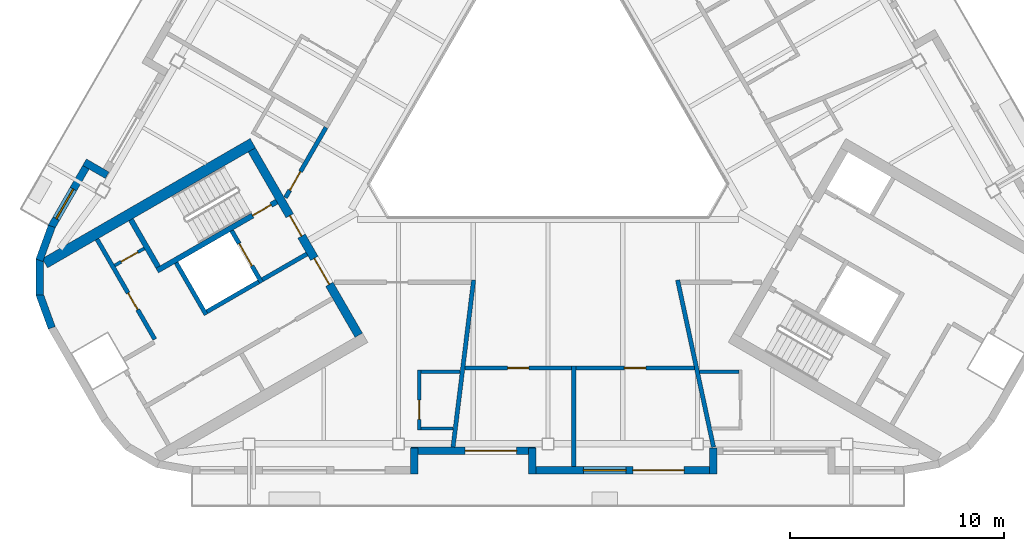
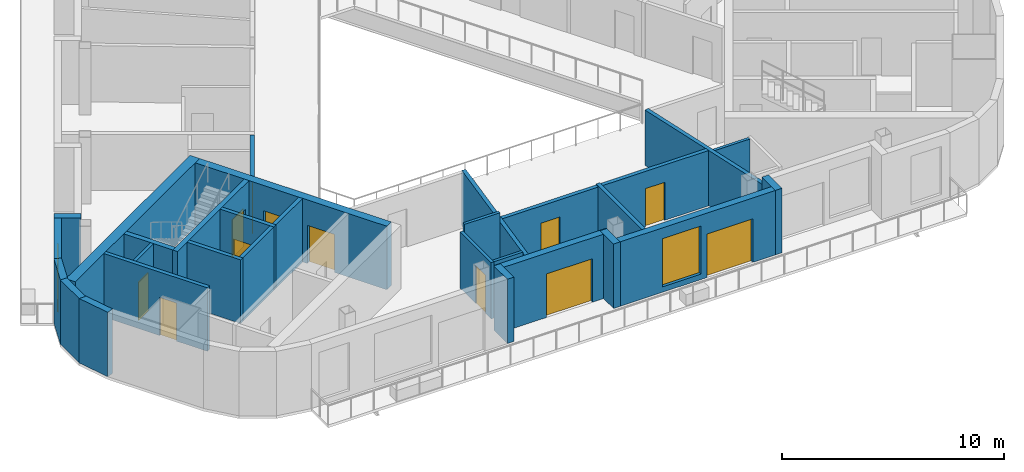
# One storey, part 3 of 12: 30 walls, 12 doors, 2 windows, 14 openings.
"""IFC4 building model written with IfcOpenShell, lengths in metres."""

from ifc_helpers import new_model, si_unit, direction, frame, frame_2d, origin, place, context, subcontext, project, spatial, rectangle, extrude, material, layer, layer_set, type_object, element, fill, save


model = new_model("IFC4")

# Units and contexts
model_context = context("Model", 3, precision=1e-05, world=origin(), true_north=direction((0.0, 1.0)))
body_context = subcontext(model_context, "Body", "Model", "MODEL_VIEW")
ifc_project = project(units=[si_unit("LENGTHUNIT", "METRE"), si_unit("AREAUNIT", "SQUARE_METRE"), si_unit("VOLUMEUNIT", "CUBIC_METRE"), si_unit("PLANEANGLEUNIT", "RADIAN"), si_unit("MASSUNIT", "GRAM", prefix="KILO")], contexts=[model_context])

# Site, building, storey
site_placement = place(None, origin())
site = spatial("IfcSite", under=ifc_project, at=site_placement, CompositionType="ELEMENT")
building_placement = place(site_placement, origin())
building = spatial("IfcBuilding", under=site, at=building_placement, Name="Apuvela Tower Hotel", CompositionType="ELEMENT")
storey_placement = place(building_placement, frame((0.0, 0.0, 294.800048828125)))
storey = spatial("IfcBuildingStorey", under=building, at=storey_placement, Name="L73", CompositionType="ELEMENT", Elevation=294.800048828125)

# Wall, openings, doors
ifc_material_1 = material(Name="Concrete C50/60", Category="concrete")
ifc_layer_1 = layer(ifc_material_1, 0.39990234375)
ifc_layer_set_1 = layer_set([ifc_layer_1], Name="COR-WALL-CORE-400")
wall_type_1 = type_object("IfcWallType", Name="COR-WALL-CORE-400", PredefinedType="SHEAR", material=ifc_layer_set_1)
wall_1_placement = place(storey_placement, frame((-13.844970703125, -2.219970703125, 0.0), z_axis=(0.0, 0.0, 1.0), x_axis=(0.500004234368, -0.866022959057, 0.0)))
wall_1 = element("IfcWall", 1, at=wall_1_placement, inside=storey, type_object=wall_type_1, Name="Core wall SW", PredefinedType="SHEAR", context=body_context, shape_type="SweptSolid", body=[
    extrude(rectangle(XDim=10.0, YDim=0.39990234375, at=frame_2d((5.0, 0.0))), origin(), (0.0, 0.0, 1.0), 3.5),
])
opening_1_placement = place(wall_1_placement, frame((3.550048828125, 0.0, 0.0)))
opening_1 = element("IfcOpeningElement", 2, at=opening_1_placement, cuts=wall_1, Name="Opening W-FD", PredefinedType="OPENING", context=body_context, shape_type="SweptSolid", body=[
    extrude(rectangle(XDim=1.10009765625, YDim=2.10009765625, at=frame_2d((0.550048828125, 1.050048828125))), frame((0.0, 0.2099609375, 0.0), z_axis=(0.0, -1.0, 0.0), x_axis=(1.0, 0.0, 0.0)), (0.0, 0.0, 1.0), 0.419921875),
])
opening_2_placement = place(wall_1_placement, frame((5.85009765625, 0.0, 0.0)))
opening_2 = element("IfcOpeningElement", 3, at=opening_2_placement, cuts=wall_1, Name="Opening W-GD", PredefinedType="OPENING", context=body_context, shape_type="SweptSolid", body=[
    extrude(rectangle(XDim=1.39990234375, YDim=2.10009765625, at=frame_2d((0.699951171875, 1.050048828125))), frame((0.0, 0.2099609375, 0.0), z_axis=(0.0, -1.0, 0.0), x_axis=(1.0, 0.0, 0.0)), (0.0, 0.0, 1.0), 0.419921875),
])
ifc_material_2 = material(Name="Steel fire door, powder coated", Category="steel")
door_type_1 = type_object("IfcDoorType", Name="COR-FD-1100", OperationType="NOTDEFINED", PredefinedType="DOOR", material=ifc_material_2)
door_1_placement = place(opening_1_placement, frame((1.10009765625, 0.0, 0.0), z_axis=(0.0, 0.0, 1.0), x_axis=(-1.0, 0.0, 0.0)))
door_1 = element("IfcDoor", 4, at=door_1_placement, inside=storey, type_object=door_type_1, Name="Firefighting lobby door W-FD", OperationType="SINGLE_SWING_LEFT", OverallHeight=2.10009765625, OverallWidth=1.10009765625, PredefinedType="DOOR", context=body_context, shape_type="SweptSolid", body=[
    extrude(rectangle(XDim=1.10009765625, YDim=2.10009765625, at=frame_2d((0.550048828125, 1.050048828125))), frame((0.0, 0.02490234375, 0.0), z_axis=(0.0, -1.0, 0.0), x_axis=(1.0, 0.0, 0.0)), (0.0, 0.0, 1.0), 0.050048828125),
])
fill(opening_1, door_1)
ifc_material_3 = material(Name="Glazed steel fire door", Category="steel")
door_type_2 = type_object("IfcDoorType", Name="COR-GD-1400", OperationType="DOUBLE_DOOR_SINGLE_SWING", PredefinedType="DOOR", material=ifc_material_3)
door_2_placement = place(opening_2_placement, frame((1.39990234375, 0.0, 0.0), z_axis=(0.0, 0.0, 1.0), x_axis=(-1.0, 0.0, 0.0)))
door_2 = element("IfcDoor", 5, at=door_2_placement, inside=storey, type_object=door_type_2, Name="Lift lobby door W-GD", OperationType="DOUBLE_DOOR_SINGLE_SWING", OverallHeight=2.10009765625, OverallWidth=1.39990234375, PredefinedType="DOOR", context=body_context, shape_type="SweptSolid", body=[
    extrude(rectangle(XDim=1.39990234375, YDim=2.10009765625, at=frame_2d((0.699951171875, 1.050048828125))), frame((0.0, 0.02490234375, 0.0), z_axis=(0.0, -1.0, 0.0), x_axis=(1.0, 0.0, 0.0)), (0.0, 0.0, 1.0), 0.050048828125),
])
fill(opening_2, door_2)

# Wall
ifc_layer_2 = layer(ifc_material_1, 0.5)
ifc_layer_set_2 = layer_set([ifc_layer_2], Name="COR-WALL-CORE-500")
wall_type_2 = type_object("IfcWallType", Name="COR-WALL-CORE-500", PredefinedType="SHEAR", material=ifc_layer_set_2)
wall_2_placement = place(storey_placement, frame((-13.796630859375, -1.9033203125, 0.0), z_axis=(0.0, 0.0, 1.0), x_axis=(-0.866025449148, -0.499999921427, 0.0)))
element("IfcWall", 6, at=wall_2_placement, inside=storey, type_object=wall_type_2, Name="Core wall SW", PredefinedType="SHEAR", context=body_context, shape_type="SweptSolid", body=[
    extrude(rectangle(XDim=11.2216796875, YDim=0.5, at=frame_2d((5.61083984375, 0.0))), origin(), (0.0, 0.0, 1.0), 3.5),
])

# Wall, opening, door
ifc_material_4 = material(Name="Blockwork 150 mm plastered", Category="masonry")
ifc_layer_3 = layer(ifc_material_4, 0.14990234375)
ifc_layer_set_3 = layer_set([ifc_layer_3], Name="COR-WALL-PART-150")
wall_type_3 = type_object("IfcWallType", Name="COR-WALL-PART-150", PredefinedType="PARTITIONING", material=ifc_layer_set_3)
wall_3_placement = place(storey_placement, frame((-18.866455078125, -6.822265625, 0.0), z_axis=(0.0, 0.0, 1.0), x_axis=(-0.866028054938, -0.499995408039, 0.0)))
wall_3 = element("IfcWall", 7, at=wall_3_placement, inside=storey, type_object=wall_type_3, Name="Partition SW", PredefinedType="PARTITIONING", context=body_context, shape_type="SweptSolid", body=[
    extrude(rectangle(XDim=1.60009765625, YDim=0.14990234375, at=frame_2d((0.800048828125, 0.0))), origin(), (0.0, 0.0, 1.0), 3.5),
])
opening_3_placement = place(wall_3_placement, frame((0.35009765625, 0.0, 0.0)))
opening_3 = element("IfcOpeningElement", 8, at=opening_3_placement, cuts=wall_3, Name="Opening W-RD", PredefinedType="OPENING", context=body_context, shape_type="SweptSolid", body=[
    extrude(rectangle(XDim=0.89990234375, YDim=2.10009765625, at=frame_2d((0.449951171875, 1.050048828125))), frame((0.0, 0.0849609375, 0.0), z_axis=(0.0, -1.0, 0.0), x_axis=(1.0, 0.0, 0.0)), (0.0, 0.0, 1.0), 0.169921875),
])
ifc_material_5 = material(Name="Steel access door, powder coated", Category="steel")
door_type_3 = type_object("IfcDoorType", Name="COR-RD-900", OperationType="NOTDEFINED", PredefinedType="DOOR", material=ifc_material_5)
door_3_placement = place(opening_3_placement, frame((0.89990234375, 0.0, 0.0), z_axis=(0.0, 0.0, 1.0), x_axis=(-1.0, 0.0, 0.0)))
door_3 = element("IfcDoor", 9, at=door_3_placement, inside=storey, type_object=door_type_3, Name="Riser door W-RD", OperationType="SINGLE_SWING_RIGHT", OverallHeight=2.10009765625, OverallWidth=0.89990234375, PredefinedType="DOOR", context=body_context, shape_type="SweptSolid", body=[
    extrude(rectangle(XDim=0.89990234375, YDim=2.10009765625, at=frame_2d((0.449951171875, 1.050048828125))), frame((0.0, 0.02490234375, 0.0), z_axis=(0.0, -1.0, 0.0), x_axis=(1.0, 0.0, 0.0)), (0.0, 0.0, 1.0), 0.050048828125),
])
fill(opening_3, door_3)

ifc_material_6 = material(Name="Blockwork 200 mm plastered", Category="masonry")
ifc_layer_4 = layer(ifc_material_6, 0.199951171875)
ifc_layer_set_4 = layer_set([ifc_layer_4], Name="COR-WALL-PART-200")
wall_type_4 = type_object("IfcWallType", Name="COR-WALL-PART-200", PredefinedType="PARTITIONING", material=ifc_layer_set_4)
wall_4_placement = place(storey_placement, frame((-21.076171875, -6.39501953125, 0.0), z_axis=(0.0, 0.0, 1.0), x_axis=(0.50001468107, -0.866016927499, 0.0)))
wall_4 = element("IfcWall", 10, at=wall_4_placement, inside=storey, type_object=wall_type_4, Name="Partition SW", PredefinedType="PARTITIONING", context=body_context, shape_type="SweptSolid", body=[
    extrude(rectangle(XDim=5.399658203125, YDim=0.199951171875, at=frame_2d((2.69970703125, 0.0))), origin(), (0.0, 0.0, 1.0), 3.5),
])
opening_4_placement = place(wall_4_placement, frame((2.89990234375, 0.0, 0.0)))
opening_4 = element("IfcOpeningElement", 11, at=opening_4_placement, cuts=wall_4, Name="Opening W-RS1", PredefinedType="OPENING", context=body_context, shape_type="SweptSolid", body=[
    extrude(rectangle(XDim=0.89990234375, YDim=2.10009765625, at=frame_2d((0.449951171875, 1.050048828125))), frame((0.0, 0.10986328125, 0.0), z_axis=(0.0, -1.0, 0.0), x_axis=(1.0, 0.0, 0.0)), (0.0, 0.0, 1.0), 0.219970703125),
])
door_type_4 = type_object("IfcDoorType", Name="COR-DR-900", OperationType="NOTDEFINED", PredefinedType="DOOR", material=ifc_material_2)
door_4_placement = place(opening_4_placement, frame((0.89990234375, 0.0, 0.0), z_axis=(0.0, 0.0, 1.0), x_axis=(-1.0, 0.0, 0.0)))
door_4 = element("IfcDoor", 12, at=door_4_placement, inside=storey, type_object=door_type_4, Name="Store door W-RS1", OperationType="SINGLE_SWING_LEFT", OverallHeight=2.10009765625, OverallWidth=0.89990234375, PredefinedType="DOOR", context=body_context, shape_type="SweptSolid", body=[
    extrude(rectangle(XDim=0.89990234375, YDim=2.10009765625, at=frame_2d((0.449951171875, 1.050048828125))), frame((0.0, 0.02490234375, 0.0), z_axis=(0.0, -1.0, 0.0), x_axis=(1.0, 0.0, 0.0)), (0.0, 0.0, 1.0), 0.050048828125),
])
fill(opening_4, door_4)

# Wall
ifc_layer_5 = layer(ifc_material_1, 0.199951171875)
ifc_layer_set_5 = layer_set([ifc_layer_5], Name="COR-WALL-SHAFT-200")
wall_type_5 = type_object("IfcWallType", Name="COR-WALL-SHAFT-200", PredefinedType="SHEAR", material=ifc_layer_set_5)
wall_5_placement = place(storey_placement, frame((-17.38134765625, -7.49462890625, 0.0), z_axis=(0.0, 0.0, 1.0), x_axis=(0.500011755427, -0.866018616679, 0.0)))
element("IfcWall", 13, at=wall_5_placement, inside=storey, type_object=wall_type_5, Name="Shaft wall SW", PredefinedType="SHEAR", context=body_context, shape_type="SweptSolid", body=[
    extrude(rectangle(XDim=2.80029296875, YDim=0.199951171875, at=frame_2d((1.400146484375, 0.0))), origin(), (0.0, 0.0, 1.0), 3.5),
])

# Wall, opening, door
wall_6_placement = place(storey_placement, frame((-14.783203125, -5.99462890625, 0.0), z_axis=(0.0, 0.0, 1.0), x_axis=(0.49994636267, -0.866056369097, 0.0)))
wall_6 = element("IfcWall", 14, at=wall_6_placement, inside=storey, type_object=wall_type_5, Name="Shaft wall SW", PredefinedType="SHEAR", context=body_context, shape_type="SweptSolid", body=[
    extrude(rectangle(XDim=2.800048828125, YDim=0.199951171875, at=frame_2d((1.39990234375, 0.0))), origin(), (0.0, 0.0, 1.0), 3.5),
])
opening_5_placement = place(wall_6_placement, frame((0.699951171875, 0.0, 0.0)))
opening_5 = element("IfcOpeningElement", 15, at=opening_5_placement, cuts=wall_6, Name="Opening W-LD-FS2", PredefinedType="OPENING", context=body_context, shape_type="SweptSolid", body=[
    extrude(rectangle(XDim=1.199951171875, YDim=2.10009765625, at=frame_2d((0.60009765625, 1.050048828125))), frame((0.0, 0.10986328125, 0.0), z_axis=(0.0, -1.0, 0.0), x_axis=(1.0, 0.0, 0.0)), (0.0, 0.0, 1.0), 0.219970703125),
])
ifc_material_7 = material(Name="Stainless steel lift landing door", Category="steel")
door_type_5 = type_object("IfcDoorType", Name="COR-LD-1200", OperationType="DOUBLE_DOOR_SLIDING", PredefinedType="DOOR", material=ifc_material_7)
door_5_placement = place(opening_5_placement, origin())
door_5 = element("IfcDoor", 16, at=door_5_placement, inside=storey, type_object=door_type_5, Name="Lift landing door W-LD-FS2", OperationType="DOUBLE_DOOR_SLIDING", OverallHeight=2.10009765625, OverallWidth=1.199951171875, PredefinedType="DOOR", context=body_context, shape_type="SweptSolid", body=[
    extrude(rectangle(XDim=1.199951171875, YDim=2.10009765625, at=frame_2d((0.60009765625, 1.050048828125))), frame((0.0, 0.02490234375, 0.0), z_axis=(0.0, -1.0, 0.0), x_axis=(1.0, 0.0, 0.0)), (0.0, 0.0, 1.0), 0.050048828125),
])
fill(opening_5, door_5)

# Walls
wall_7_placement = place(storey_placement, frame((-13.519775390625, -8.383056640625, 0.0), z_axis=(0.0, 0.0, 1.0), x_axis=(-0.866034573852, -0.49998411664, 0.0)))
element("IfcWall", 17, at=wall_7_placement, inside=storey, type_object=wall_type_5, Name="Shaft wall SW", PredefinedType="SHEAR", context=body_context, shape_type="SweptSolid", body=[
    extrude(rectangle(XDim=2.7998046875, YDim=0.199951171875, at=frame_2d((1.39990234375, 0.0))), origin(), (0.0, 0.0, 1.0), 3.5),
])
wall_8_placement = place(storey_placement, frame((-11.26806640625, -7.0830078125, 0.0), z_axis=(0.0, 0.0, 1.0), x_axis=(-0.866050077142, -0.499957262057, 0.0)))
element("IfcWall", 18, at=wall_8_placement, inside=storey, type_object=wall_type_5, Name="Shaft wall SW", PredefinedType="SHEAR", context=body_context, shape_type="SweptSolid", body=[
    extrude(rectangle(XDim=2.400146484375, YDim=0.199951171875, at=frame_2d((1.2001953125, 0.0))), origin(), (0.0, 0.0, 1.0), 3.5),
])

# Wall, opening, door
ifc_layer_6 = layer(ifc_material_1, 0.25)
ifc_layer_set_6 = layer_set([ifc_layer_6], Name="COR-WALL-STAIR-250")
wall_type_6 = type_object("IfcWallType", Name="COR-WALL-STAIR-250", PredefinedType="SHEAR", material=ifc_layer_set_6)
wall_9_placement = place(storey_placement, frame((-12.6806640625, -4.636474609375, 0.0), z_axis=(0.0, 0.0, 1.0), x_axis=(-0.866021702275, -0.500006411147, 0.0)))
wall_9 = element("IfcWall", 19, at=wall_9_placement, inside=storey, type_object=wall_type_6, Name="Stair wall SW", PredefinedType="SHEAR", context=body_context, shape_type="SweptSolid", body=[
    extrude(rectangle(XDim=6.4501953125, YDim=0.25, at=frame_2d((3.22509765625, 0.0))), origin(), (0.0, 0.0, 1.0), 3.5),
])
opening_6_placement = place(wall_9_placement, frame((0.300048828125, 0.0, 0.0)))
opening_6 = element("IfcOpeningElement", 20, at=opening_6_placement, cuts=wall_9, Name="Opening W-SD", PredefinedType="OPENING", context=body_context, shape_type="SweptSolid", body=[
    extrude(rectangle(XDim=1.0, YDim=2.10009765625, at=frame_2d((0.5, 1.050048828125))), frame((0.0, 0.135009765625, 0.0), z_axis=(0.0, -1.0, 0.0), x_axis=(1.0, 0.0, 0.0)), (0.0, 0.0, 1.0), 0.27001953125),
])
door_type_6 = type_object("IfcDoorType", Name="COR-SD-1000", OperationType="NOTDEFINED", PredefinedType="DOOR", material=ifc_material_2)
door_6_placement = place(opening_6_placement, frame((1.0, 0.0, 0.0), z_axis=(0.0, 0.0, 1.0), x_axis=(-1.0, 0.0, 0.0)))
door_6 = element("IfcDoor", 21, at=door_6_placement, inside=storey, type_object=door_type_6, Name="Stair door W-SD", OperationType="SINGLE_SWING_LEFT", OverallHeight=2.10009765625, OverallWidth=1.0, PredefinedType="DOOR", context=body_context, shape_type="SweptSolid", body=[
    extrude(rectangle(XDim=1.0, YDim=2.10009765625, at=frame_2d((0.5, 1.050048828125))), frame((0.0, 0.02490234375, 0.0), z_axis=(0.0, -1.0, 0.0), x_axis=(1.0, 0.0, 0.0)), (0.0, 0.0, 1.0), 0.050048828125),
])
fill(opening_6, door_6)

# Walls
wall_10_placement = place(storey_placement, frame((-19.49560546875, -5.482421875, 0.0), z_axis=(0.0, 0.0, 1.0), x_axis=(0.499990435942, -0.866030925526, 0.0)))
element("IfcWall", 22, at=wall_10_placement, inside=storey, type_object=wall_type_6, Name="Stair wall SW", PredefinedType="SHEAR", context=body_context, shape_type="SweptSolid", body=[
    extrude(rectangle(XDim=2.5498046875, YDim=0.25, at=frame_2d((1.27490234375, 0.0))), origin(), (0.0, 0.0, 1.0), 3.5),
])
ifc_material_8 = material(Name="Concrete C40/50, dark pigmented precast panel", Category="concrete")
ifc_layer_7 = layer(ifc_material_8, 0.35009765625)
ifc_layer_set_7 = layer_set([ifc_layer_7], Name="ENV-WALL-350")
wall_type_7 = type_object("IfcWallType", Name="ENV-WALL-350", PredefinedType="SOLIDWALL", material=ifc_layer_set_7)
wall_11_placement = place(storey_placement, frame((-20.603515625, -3.4033203125, 0.0), z_axis=(0.0, 0.0, 1.0), x_axis=(-0.866092288191, 0.499884134912, 0.0)))
element("IfcWall", 23, at=wall_11_placement, inside=storey, type_object=wall_type_7, Name="External wall L73-08", PredefinedType="SOLIDWALL", context=body_context, shape_type="SweptSolid", body=[
    extrude(rectangle(XDim=1.219970703125, YDim=0.35009765625, at=frame_2d((0.60986328125, 0.0))), origin(), (0.0, 0.0, 1.0), 3.550048828125),
])

# Wall, opening, window
wall_12_placement = place(storey_placement, frame((-21.421142578125, -2.7294921875, 0.0), z_axis=(0.0, 0.0, 1.0), x_axis=(-0.500040399856, -0.86600207766, 0.0)))
wall_12 = element("IfcWall", 24, at=wall_12_placement, inside=storey, type_object=wall_type_7, Name="External wall L73-09", PredefinedType="SOLIDWALL", context=body_context, shape_type="SweptSolid", body=[
    extrude(rectangle(XDim=3.567138671875, YDim=0.35009765625, at=frame_2d((1.78369140625, 0.0))), origin(), (0.0, 0.0, 1.0), 3.550048828125),
])
opening_7_placement = place(wall_12_placement, frame((1.52490234375, 0.0, 0.300048828125)))
opening_7 = element("IfcOpeningElement", 25, at=opening_7_placement, cuts=wall_12, Name="Opening WN16", PredefinedType="OPENING", context=body_context, shape_type="SweptSolid", body=[
    extrude(rectangle(XDim=1.60009765625, YDim=2.64990234375, at=frame_2d((0.800048828125, 1.324951171875))), frame((0.0, 0.18505859375, 0.0), z_axis=(0.0, -1.0, 0.0), x_axis=(1.0, 0.0, 0.0)), (0.0, 0.0, 1.0), 0.3701171875),
])
ifc_material_9 = material(Name="Glass, dark tinted laminated insulated glazing unit", Category="glass")
window_type_1 = type_object("IfcWindowType", Name="ENV-WIN-1600x2650", PartitioningType="SINGLE_PANEL", PredefinedType="WINDOW", material=ifc_material_9)
window_1_placement = place(opening_7_placement, origin())
window_1 = element("IfcWindow", 26, at=window_1_placement, inside=storey, type_object=window_type_1, Name="Window WN16", OverallHeight=2.64990234375, OverallWidth=1.60009765625, PartitioningType="SINGLE_PANEL", PredefinedType="WINDOW", context=body_context, shape_type="SweptSolid", body=[
    extrude(rectangle(XDim=1.60009765625, YDim=2.64990234375, at=frame_2d((0.800048828125, 1.324951171875))), frame((0.0, 0.030029296875, 0.0), z_axis=(0.0, -1.0, 0.0), x_axis=(1.0, 0.0, 0.0)), (0.0, 0.0, 1.0), 0.06005859375),
])
fill(opening_7, window_1)

# Walls
for number, where, z_axis, x_axis, name in (
    (27, (-23.19189453125, -5.791015625, 0.0), (0.0, 0.0, 1.0), (-0.342033102914, -0.93968790378, 0.0), "External wall L73-10"),
    (28, (-23.75927734375, -7.318603515625, 0.0), (0.0, 0.0, 1.0), (0.0, -1.0, 0.0), "External wall L73-11"),
    (29, (-23.769775390625, -8.9482421875, 0.0), (0.0, 0.0, 1.0), (0.342033102914, -0.93968790378, 0.0), "External wall L73-12"),
):
    element("IfcWall", number, at=place(storey_placement, frame(where, z_axis=z_axis, x_axis=x_axis)), inside=storey, type_object=wall_type_7, Name=name, PredefinedType="SOLIDWALL", context=body_context, shape_type="SweptSolid", body=[
        extrude(rectangle(XDim=1.689453125, YDim=0.35009765625, at=frame_2d((0.8447265625, 0.0))), origin(), (0.0, 0.0, 1.0), 3.550048828125),
    ])
wall_13_placement = place(storey_placement, frame((-6.26220703125, -17.361572265625, 0.0), z_axis=(0.0, 0.0, 1.0), x_axis=(0.0, 1.0, 0.0)))
element("IfcWall", 30, at=wall_13_placement, inside=storey, type_object=wall_type_7, Name="External wall L73-18", PredefinedType="SOLIDWALL", context=body_context, shape_type="SweptSolid", body=[
    extrude(rectangle(XDim=1.219970703125, YDim=0.35009765625, at=frame_2d((0.60986328125, 0.0))), origin(), (0.0, 0.0, 1.0), 3.550048828125),
])

# Wall, opening, door
wall_14_placement = place(storey_placement, frame((-6.406982421875, -16.28662109375, 0.0), z_axis=(0.0, 0.0, 1.0), x_axis=(1.0, 0.0, 0.0)))
wall_14 = element("IfcWall", 31, at=wall_14_placement, inside=storey, type_object=wall_type_7, Name="External wall L73-19", PredefinedType="SOLIDWALL", context=body_context, shape_type="SweptSolid", body=[
    extrude(rectangle(XDim=5.826904296875, YDim=0.35009765625, at=frame_2d((2.91357421875, 0.0))), origin(), (0.0, 0.0, 1.0), 3.550048828125),
])
opening_8_placement = place(wall_14_placement, frame((2.5380859375, 0.0, 0.0)))
opening_8 = element("IfcOpeningElement", 32, at=opening_8_placement, cuts=wall_14, Name="Opening BD24", PredefinedType="OPENING", context=body_context, shape_type="SweptSolid", body=[
    extrude(rectangle(XDim=2.39990234375, YDim=2.39990234375, at=frame_2d((1.199951171875, 1.199951171875))), frame((0.0, 0.18505859375, 0.0), z_axis=(0.0, -1.0, 0.0), x_axis=(1.0, 0.0, 0.0)), (0.0, 0.0, 1.0), 0.3701171875),
])
ifc_material_10 = material(Name="Aluminium 6063-T6, dark bronze anodised frame with dark tinted laminated glass", Category="aluminium")
door_type_7 = type_object("IfcDoorType", Name="ENV-DOOR-BALCONY-2400x2400", OperationType="SLIDING_TO_LEFT", PredefinedType="DOOR", material=ifc_material_10)
door_7_placement = place(opening_8_placement, frame((2.39990234375, 0.0, 0.0), z_axis=(0.0, 0.0, 1.0), x_axis=(-1.0, 0.0, 0.0)))
door_7 = element("IfcDoor", 33, at=door_7_placement, inside=storey, type_object=door_type_7, Name="Balcony door BD24", OperationType="SLIDING_TO_LEFT", OverallHeight=2.39990234375, OverallWidth=2.39990234375, PredefinedType="DOOR", context=body_context, shape_type="SweptSolid", body=[
    extrude(rectangle(XDim=2.39990234375, YDim=2.39990234375, at=frame_2d((1.199951171875, 1.199951171875))), frame((0.0, 0.02490234375, 0.0), z_axis=(0.0, -1.0, 0.0), x_axis=(1.0, 0.0, 0.0)), (0.0, 0.0, 1.0), 0.050048828125),
])
fill(opening_8, door_7)

# Wall
wall_15_placement = place(storey_placement, frame((-0.72509765625, -16.1416015625, 0.0), z_axis=(0.0, 0.0, 1.0), x_axis=(0.0, -1.0, 0.0)))
element("IfcWall", 34, at=wall_15_placement, inside=storey, type_object=wall_type_7, Name="External wall L73-20", PredefinedType="SOLIDWALL", context=body_context, shape_type="SweptSolid", body=[
    extrude(rectangle(XDim=1.219970703125, YDim=0.35009765625, at=frame_2d((0.60986328125, 0.0))), origin(), (0.0, 0.0, 1.0), 3.550048828125),
])

# Wall, openings, door, window
wall_16_placement = place(storey_placement, frame((-0.89990234375, -17.1865234375, 0.0), z_axis=(0.0, 0.0, 1.0), x_axis=(1.0, 0.0, 0.0)))
wall_16 = element("IfcWall", 35, at=wall_16_placement, inside=storey, type_object=wall_type_7, Name="External wall L73-21", PredefinedType="SOLIDWALL", context=body_context, shape_type="SweptSolid", body=[
    extrude(rectangle(XDim=8.787109375, YDim=0.35009765625, at=frame_2d((4.3935546875, 0.0))), origin(), (0.0, 0.0, 1.0), 3.550048828125),
])
opening_9_placement = place(wall_16_placement, frame((4.86181640625, 0.0, 0.0)))
opening_9 = element("IfcOpeningElement", 36, at=opening_9_placement, cuts=wall_16, Name="Opening BD24", PredefinedType="OPENING", context=body_context, shape_type="SweptSolid", body=[
    extrude(rectangle(XDim=2.39990234375, YDim=2.39990234375, at=frame_2d((1.199951171875, 1.199951171875))), frame((0.0, 0.18505859375, 0.0), z_axis=(0.0, -1.0, 0.0), x_axis=(1.0, 0.0, 0.0)), (0.0, 0.0, 1.0), 0.3701171875),
])
opening_10_placement = place(wall_16_placement, frame((2.5498046875, 0.0, 0.300048828125)))
opening_10 = element("IfcOpeningElement", 37, at=opening_10_placement, cuts=wall_16, Name="Opening WN20", PredefinedType="OPENING", context=body_context, shape_type="SweptSolid", body=[
    extrude(rectangle(XDim=2.0, YDim=2.64990234375, at=frame_2d((1.0, 1.324951171875))), frame((0.0, 0.18505859375, 0.0), z_axis=(0.0, -1.0, 0.0), x_axis=(1.0, 0.0, 0.0)), (0.0, 0.0, 1.0), 0.3701171875),
])
door_8_placement = place(opening_9_placement, frame((2.39990234375, 0.0, 0.0), z_axis=(0.0, 0.0, 1.0), x_axis=(-1.0, 0.0, 0.0)))
door_8 = element("IfcDoor", 38, at=door_8_placement, inside=storey, type_object=door_type_7, Name="Balcony door BD24", OperationType="SLIDING_TO_LEFT", OverallHeight=2.39990234375, OverallWidth=2.39990234375, PredefinedType="DOOR", context=body_context, shape_type="SweptSolid", body=[
    extrude(rectangle(XDim=2.39990234375, YDim=2.39990234375, at=frame_2d((1.199951171875, 1.199951171875))), frame((0.0, 0.02490234375, 0.0), z_axis=(0.0, -1.0, 0.0), x_axis=(1.0, 0.0, 0.0)), (0.0, 0.0, 1.0), 0.050048828125),
])
fill(opening_9, door_8)
window_type_2 = type_object("IfcWindowType", Name="ENV-WIN-2000x2650", PartitioningType="SINGLE_PANEL", PredefinedType="WINDOW", material=ifc_material_9)
window_2_placement = place(opening_10_placement, origin())
window_2 = element("IfcWindow", 39, at=window_2_placement, inside=storey, type_object=window_type_2, Name="Window WN20", OverallHeight=2.64990234375, OverallWidth=2.0, PartitioningType="SINGLE_PANEL", PredefinedType="WINDOW", context=body_context, shape_type="SweptSolid", body=[
    extrude(rectangle(XDim=2.0, YDim=2.64990234375, at=frame_2d((1.0, 1.324951171875))), frame((0.0, 0.030029296875, 0.0), z_axis=(0.0, -1.0, 0.0), x_axis=(1.0, 0.0, 0.0)), (0.0, 0.0, 1.0), 0.06005859375),
])
fill(opening_10, window_2)

# Walls
wall_17_placement = place(storey_placement, frame((7.712158203125, -17.361572265625, 0.0), z_axis=(0.0, 0.0, 1.0), x_axis=(0.0, 1.0, 0.0)))
element("IfcWall", 40, at=wall_17_placement, inside=storey, type_object=wall_type_7, Name="External wall L73-22", PredefinedType="SOLIDWALL", context=body_context, shape_type="SweptSolid", body=[
    extrude(rectangle(XDim=1.219970703125, YDim=0.35009765625, at=frame_2d((0.60986328125, 0.0))), origin(), (0.0, 0.0, 1.0), 3.550048828125),
])
ifc_material_11 = material(Name="Gypsum board partition on twin steel stud", Category="steel")
ifc_layer_8 = layer(ifc_material_11, 0.199951171875)
ifc_layer_set_8 = layer_set([ifc_layer_8], Name="GST-PW1")
wall_type_8 = type_object("IfcWallType", Name="GST-PW1", PredefinedType="PARTITIONING", material=ifc_layer_set_8)
wall_18_placement = place(storey_placement, frame((-4.43896484375, -16.111572265625, 0.0), z_axis=(0.0, 0.0, 1.0), x_axis=(0.122431140129, 0.992477010276, 0.0)))
element("IfcWall", 41, at=wall_18_placement, inside=storey, type_object=wall_type_8, Name="L73 partition 01", PredefinedType="PARTITIONING", context=body_context, shape_type="SweptSolid", body=[
    extrude(rectangle(XDim=7.870849609375, YDim=0.199951171875, at=frame_2d((3.935546875, 0.0))), origin(), (0.0, 0.0, 1.0), 3.050048828125),
])
wall_19_placement = place(storey_placement, frame((1.199951171875, -17.01171875, 0.0), z_axis=(0.0, 0.0, 1.0), x_axis=(0.0, 1.0, 0.0)))
element("IfcWall", 42, at=wall_19_placement, inside=storey, type_object=wall_type_8, Name="L73 partition 02", PredefinedType="PARTITIONING", context=body_context, shape_type="SweptSolid", body=[
    extrude(rectangle(XDim=4.7001953125, YDim=0.199951171875, at=frame_2d((2.35009765625, 0.0))), origin(), (0.0, 0.0, 1.0), 3.099853515625),
])
wall_20_placement = place(storey_placement, frame((7.736572265625, -16.111572265625, 0.0), z_axis=(0.0, 0.0, 1.0), x_axis=(-0.210221826162, 0.977653713646, 0.0)))
element("IfcWall", 43, at=wall_20_placement, inside=storey, type_object=wall_type_8, Name="L73 partition 03", PredefinedType="PARTITIONING", context=body_context, shape_type="SweptSolid", body=[
    extrude(rectangle(XDim=7.989990234375, YDim=0.199951171875, at=frame_2d((3.9951171875, 0.0))), origin(), (0.0, 0.0, 1.0), 3.050048828125),
])

# Wall, opening, door
ifc_material_12 = material(Name="Gypsum board corridor wall on twin steel stud, acoustic", Category="steel")
ifc_layer_9 = layer(ifc_material_12, 0.199951171875)
ifc_layer_set_9 = layer_set([ifc_layer_9], Name="GST-PW2")
wall_type_9 = type_object("IfcWallType", Name="GST-PW2", PredefinedType="PARTITIONING", material=ifc_layer_set_9)
wall_21_placement = place(storey_placement, frame((1.10009765625, -12.41162109375, 0.0), z_axis=(0.0, 0.0, 1.0), x_axis=(-1.0, 0.0, 0.0)))
wall_21 = element("IfcWall", 44, at=wall_21_placement, inside=storey, type_object=wall_type_9, Name="L73 partition 13", PredefinedType="PARTITIONING", context=body_context, shape_type="SweptSolid", body=[
    extrude(rectangle(XDim=4.98193359375, YDim=0.199951171875, at=frame_2d((2.490966796875, 0.0))), origin(), (0.0, 0.0, 1.0), 3.050048828125),
])
opening_11_placement = place(wall_21_placement, frame((1.990966796875, 0.0, 0.0)))
opening_11 = element("IfcOpeningElement", 45, at=opening_11_placement, cuts=wall_21, Name="Opening GD29-03", PredefinedType="OPENING", context=body_context, shape_type="SweptSolid", body=[
    extrude(rectangle(XDim=1.0, YDim=2.10009765625, at=frame_2d((0.5, 1.050048828125))), frame((0.0, 0.10986328125, 0.0), z_axis=(0.0, -1.0, 0.0), x_axis=(1.0, 0.0, 0.0)), (0.0, 0.0, 1.0), 0.219970703125),
])
ifc_material_13 = material(Name="Timber door leaf in steel frame", Category="steel")
door_type_8 = type_object("IfcDoorType", Name="GST-D1", OperationType="NOTDEFINED", PredefinedType="DOOR", material=ifc_material_13)
door_9_placement = place(opening_11_placement, origin())
door_9 = element("IfcDoor", 46, at=door_9_placement, inside=storey, type_object=door_type_8, Name="Door L73-03", OperationType="SINGLE_SWING_LEFT", OverallHeight=2.10009765625, OverallWidth=1.0, PredefinedType="DOOR", context=body_context, shape_type="SweptSolid", body=[
    extrude(rectangle(XDim=1.0, YDim=2.10009765625, at=frame_2d((0.5, 1.050048828125))), frame((0.0, 0.02490234375, 0.0), z_axis=(0.0, -1.0, 0.0), x_axis=(1.0, 0.0, 0.0)), (0.0, 0.0, 1.0), 0.050048828125),
])
fill(opening_11, door_9)

wall_22_placement = place(storey_placement, frame((6.838623046875, -12.41162109375, 0.0), z_axis=(0.0, 0.0, 1.0), x_axis=(-1.0, 0.0, 0.0)))
wall_22 = element("IfcWall", 47, at=wall_22_placement, inside=storey, type_object=wall_type_9, Name="L73 partition 14", PredefinedType="PARTITIONING", context=body_context, shape_type="SweptSolid", body=[
    extrude(rectangle(XDim=5.53857421875, YDim=0.199951171875, at=frame_2d((2.769287109375, 0.0))), origin(), (0.0, 0.0, 1.0), 3.050048828125),
])
opening_12_placement = place(wall_22_placement, frame((2.269287109375, 0.0, 0.0)))
opening_12 = element("IfcOpeningElement", 48, at=opening_12_placement, cuts=wall_22, Name="Opening GD29-04", PredefinedType="OPENING", context=body_context, shape_type="SweptSolid", body=[
    extrude(rectangle(XDim=1.0, YDim=2.10009765625, at=frame_2d((0.5, 1.050048828125))), frame((0.0, 0.10986328125, 0.0), z_axis=(0.0, -1.0, 0.0), x_axis=(1.0, 0.0, 0.0)), (0.0, 0.0, 1.0), 0.219970703125),
])
door_10_placement = place(opening_12_placement, origin())
door_10 = element("IfcDoor", 49, at=door_10_placement, inside=storey, type_object=door_type_8, Name="Door L73-04", OperationType="SINGLE_SWING_LEFT", OverallHeight=2.10009765625, OverallWidth=1.0, PredefinedType="DOOR", context=body_context, shape_type="SweptSolid", body=[
    extrude(rectangle(XDim=1.0, YDim=2.10009765625, at=frame_2d((0.5, 1.050048828125))), frame((0.0, 0.02490234375, 0.0), z_axis=(0.0, -1.0, 0.0), x_axis=(1.0, 0.0, 0.0)), (0.0, 0.0, 1.0), 0.050048828125),
])
fill(opening_12, door_10)

wall_23_placement = place(storey_placement, frame((-12.268798828125, -4.449951171875, 0.0), z_axis=(0.0, 0.0, 1.0), x_axis=(0.500055316652, 0.865993464345, 0.0)))
wall_23 = element("IfcWall", 50, at=wall_23_placement, inside=storey, type_object=wall_type_9, Name="L73 partition 39", PredefinedType="PARTITIONING", context=body_context, shape_type="SweptSolid", body=[
    extrude(rectangle(XDim=3.7880859375, YDim=0.199951171875, at=frame_2d((1.89404296875, 0.0))), origin(), (0.0, 0.0, 1.0), 3.050048828125),
])
opening_13_placement = place(wall_23_placement, frame((0.39990234375, 0.0, 0.0)))
opening_13 = element("IfcOpeningElement", 51, at=opening_13_placement, cuts=wall_23, Name="Opening GD29-21", PredefinedType="OPENING", context=body_context, shape_type="SweptSolid", body=[
    extrude(rectangle(XDim=1.0, YDim=2.10009765625, at=frame_2d((0.5, 1.050048828125))), frame((0.0, 0.10986328125, 0.0), z_axis=(0.0, -1.0, 0.0), x_axis=(1.0, 0.0, 0.0)), (0.0, 0.0, 1.0), 0.219970703125),
])
door_11_placement = place(opening_13_placement, origin())
door_11 = element("IfcDoor", 52, at=door_11_placement, inside=storey, type_object=door_type_8, Name="Door L73-21", OperationType="SINGLE_SWING_LEFT", OverallHeight=2.10009765625, OverallWidth=1.0, PredefinedType="DOOR", context=body_context, shape_type="SweptSolid", body=[
    extrude(rectangle(XDim=1.0, YDim=2.10009765625, at=frame_2d((0.5, 1.050048828125))), frame((0.0, 0.02490234375, 0.0), z_axis=(0.0, -1.0, 0.0), x_axis=(1.0, 0.0, 0.0)), (0.0, 0.0, 1.0), 0.050048828125),
])
fill(opening_13, door_11)

ifc_material_14 = material(Name="Moisture-resistant gypsum board wet wall on steel stud", Category="steel")
ifc_layer_10 = layer(ifc_material_14, 0.14990234375)
ifc_layer_set_10 = layer_set([ifc_layer_10], Name="GST-PW3")
wall_type_10 = type_object("IfcWallType", Name="GST-PW3", PredefinedType="PARTITIONING", material=ifc_layer_set_10)
wall_24_placement = place(storey_placement, frame((-6.0205078125, -12.51171875, 0.0), z_axis=(0.0, 0.0, 1.0), x_axis=(0.0, -1.0, 0.0)))
wall_24 = element("IfcWall", 53, at=wall_24_placement, inside=storey, type_object=wall_type_10, Name="L73 partition 10", PredefinedType="PARTITIONING", context=body_context, shape_type="SweptSolid", body=[
    extrude(rectangle(XDim=2.7998046875, YDim=0.14990234375, at=frame_2d((1.39990234375, 0.0))), origin(), (0.0, 0.0, 1.0), 3.099853515625),
])
opening_14_placement = place(wall_24_placement, frame((1.39990234375, 0.0, 0.0)))
opening_14 = element("IfcOpeningElement", 54, at=opening_14_placement, cuts=wall_24, Name="Opening GD29-01", PredefinedType="OPENING", context=body_context, shape_type="SweptSolid", body=[
    extrude(rectangle(XDim=0.89990234375, YDim=2.10009765625, at=frame_2d((0.449951171875, 1.050048828125))), frame((0.0, 0.0849609375, 0.0), z_axis=(0.0, -1.0, 0.0), x_axis=(1.0, 0.0, 0.0)), (0.0, 0.0, 1.0), 0.169921875),
])
door_type_9 = type_object("IfcDoorType", Name="GST-D2", OperationType="NOTDEFINED", PredefinedType="DOOR", material=ifc_material_13)
door_12_placement = place(opening_14_placement, origin())
door_12 = element("IfcDoor", 55, at=door_12_placement, inside=storey, type_object=door_type_9, Name="Door L73-01", OperationType="SINGLE_SWING_RIGHT", OverallHeight=2.10009765625, OverallWidth=0.89990234375, PredefinedType="DOOR", context=body_context, shape_type="SweptSolid", body=[
    extrude(rectangle(XDim=0.89990234375, YDim=2.10009765625, at=frame_2d((0.449951171875, 1.050048828125))), frame((0.0, 0.02490234375, 0.0), z_axis=(0.0, -1.0, 0.0), x_axis=(1.0, 0.0, 0.0)), (0.0, 0.0, 1.0), 0.050048828125),
])
fill(opening_14, door_12)

# Walls
wall_25_placement = place(storey_placement, frame((-5.945556640625, -15.236572265625, 0.0), z_axis=(0.0, 0.0, 1.0), x_axis=(1.0, 0.0, 0.0)))
element("IfcWall", 56, at=wall_25_placement, inside=storey, type_object=wall_type_10, Name="L73 partition 11", PredefinedType="PARTITIONING", context=body_context, shape_type="SweptSolid", body=[
    extrude(rectangle(XDim=1.513671875, YDim=0.14990234375, at=frame_2d((0.7568359375, 0.0))), origin(), (0.0, 0.0, 1.0), 3.099853515625),
])
wall_26_placement = place(storey_placement, frame((-5.945556640625, -12.586669921875, 0.0), z_axis=(0.0, 0.0, 1.0), x_axis=(1.0, 0.0, 0.0)))
element("IfcWall", 57, at=wall_26_placement, inside=storey, type_object=wall_type_10, Name="L73 partition 12", PredefinedType="PARTITIONING", context=body_context, shape_type="SweptSolid", body=[
    extrude(rectangle(XDim=1.840576171875, YDim=0.14990234375, at=frame_2d((0.92041015625, 0.0))), origin(), (0.0, 0.0, 1.0), 3.550048828125),
])
wall_27_placement = place(storey_placement, frame((7.080810546875, -12.586669921875, 0.0), z_axis=(0.0, 0.0, 1.0), x_axis=(1.0, 0.0, 0.0)))
element("IfcWall", 58, at=wall_27_placement, inside=storey, type_object=wall_type_10, Name="L73 partition 18", PredefinedType="PARTITIONING", context=body_context, shape_type="SweptSolid", body=[
    extrude(rectangle(XDim=1.833984375, YDim=0.14990234375, at=frame_2d((0.9169921875, 0.0))), origin(), (0.0, 0.0, 1.0), 3.050048828125),
])

save(model, "model.ifc")
